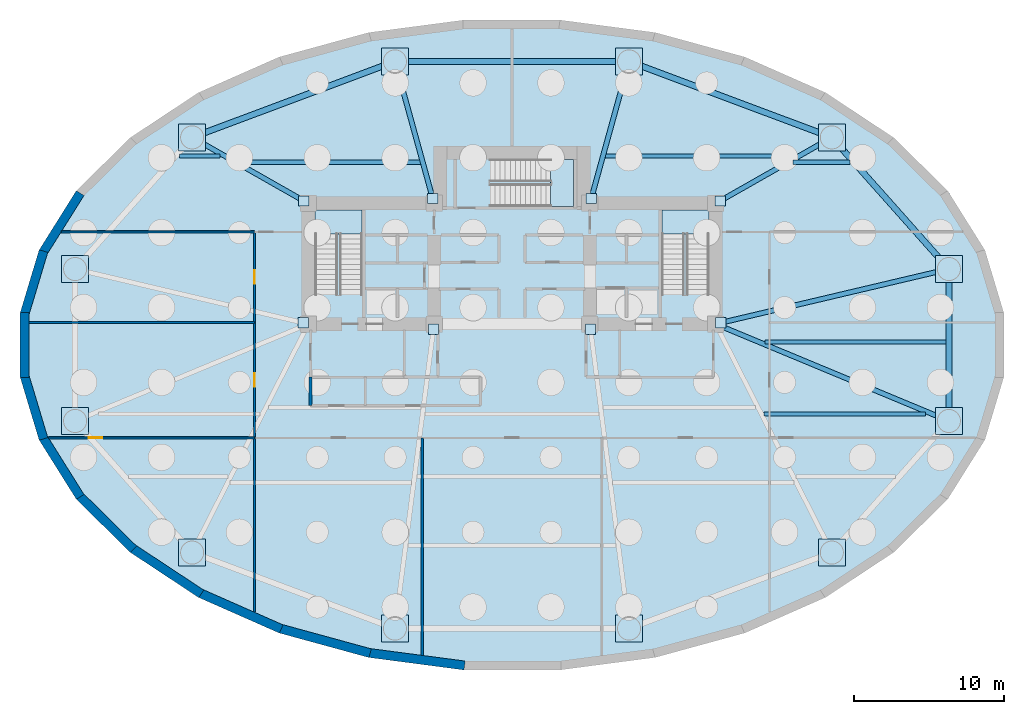
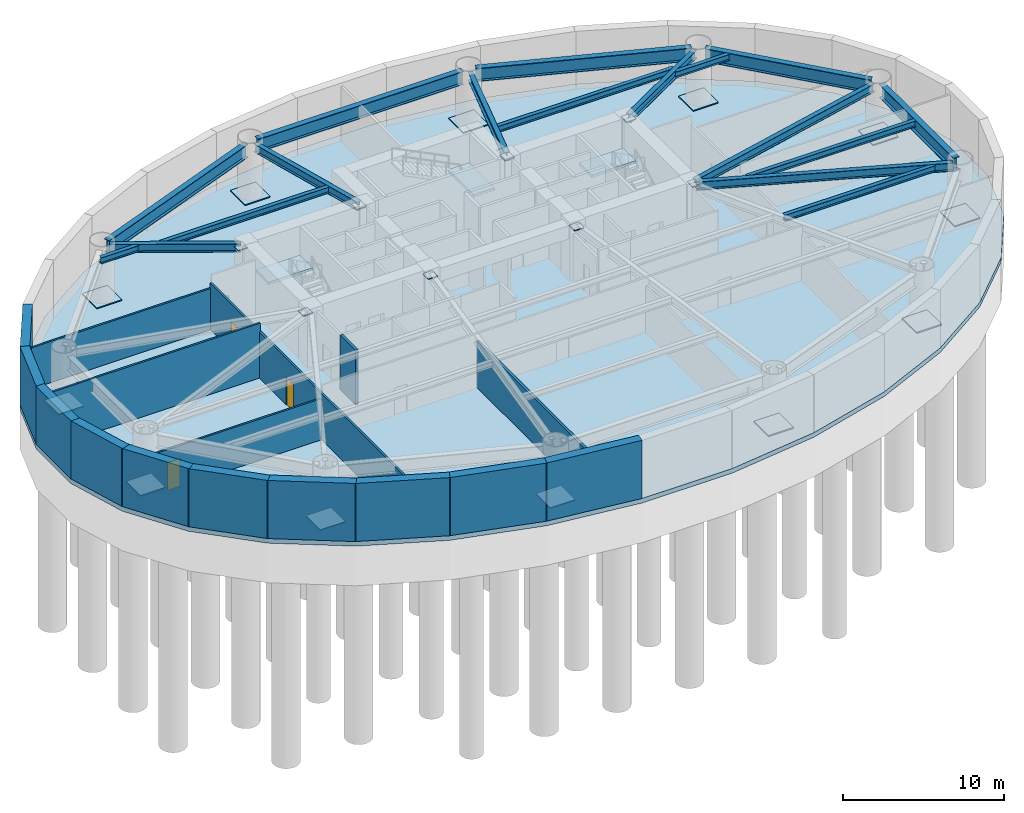
# One storey, part 2 of 7: 20 plates, 17 beams, 16 walls, 4 slabs, 3 doors, 3 openings, 3 elements without a shape of their own.
"""IFC4 building model written with IfcOpenShell, lengths in metres."""

from ifc_helpers import new_model, si_unit, direction, frame, frame_2d, origin, origin_2d, place, context, subcontext, project, spatial, polyline, rectangle, i_section, outline, extrude, material, layer, layer_set, material_profile, profile_set, type_object, element, fill, aggregate, save


model = new_model("IFC4")

# Units and contexts
model_context = context("Model", 3, precision=1e-05, world=origin(), true_north=direction((0.0, 1.0)))
body_context = subcontext(model_context, "Body", "Model", "MODEL_VIEW")
ifc_project = project(units=[si_unit("LENGTHUNIT", "METRE"), si_unit("AREAUNIT", "SQUARE_METRE"), si_unit("VOLUMEUNIT", "CUBIC_METRE"), si_unit("PLANEANGLEUNIT", "RADIAN"), si_unit("MASSUNIT", "GRAM", prefix="KILO")], contexts=[model_context])

# Site, building, storey
site_placement = place(None, origin())
site = spatial("IfcSite", under=ifc_project, at=site_placement, CompositionType="ELEMENT")
building_placement = place(site_placement, origin())
building = spatial("IfcBuilding", under=site, at=building_placement, Name="Keldmark Tower", CompositionType="ELEMENT")
storey_placement = place(building_placement, frame((0.0, 0.0, -8.800048828125)))
storey = spatial("IfcBuildingStorey", under=building, at=storey_placement, Name="B02", CompositionType="ELEMENT", Elevation=-8.800048828125)

# Beams
ifc_material_1 = material(Name="Steel ASTM A992 Grade 50", Category="steel")
ifc_material_profile_1 = material_profile(ifc_material_1, i_section(OverallWidth=0.280029296875, OverallDepth=0.462890625, WebThickness=0.0107421875, FlangeThickness=0.017333984375, at=origin_2d()), Name="W18X76")
ifc_profile_set_1 = profile_set([ifc_material_profile_1], Name="Steel ASTM A992 Grade 50")
beam_type_1 = type_object("IfcBeamType", Name="Composite Floor Joist W18X76", PredefinedType="JOIST", material=ifc_profile_set_1)
beam_1_placement = place(storey_placement, frame((16.822998046875, -4.60009765625, 3.908447265625), z_axis=(1.0, 0.0, 0.0), x_axis=(0.0, 1.0, 0.0)))
element("IfcBeam", 1, at=beam_1_placement, inside=storey, type_object=beam_type_1, Name="B02 Composite Floor Joist J11", PredefinedType="JOIST", context=body_context, shape_type="SweptSolid", body=[
    extrude(i_section(OverallWidth=0.280029296875, OverallDepth=0.462890625, WebThickness=0.0107421875, FlangeThickness=0.017333984375, at=origin_2d()), origin(), (0.0, 0.0, 1.0), 10.7998046875),
])
beam_2_placement = place(storey_placement, frame((16.897216796875, 0.199951171875, 3.908447265625), z_axis=(1.0, 0.0, 0.0), x_axis=(0.0, 1.0, 0.0)))
element("IfcBeam", 2, at=beam_2_placement, inside=storey, type_object=beam_type_1, Name="B02 Composite Floor Joist J12", PredefinedType="JOIST", context=body_context, shape_type="SweptSolid", body=[
    extrude(i_section(OverallWidth=0.280029296875, OverallDepth=0.462890625, WebThickness=0.0107421875, FlangeThickness=0.017333984375, at=origin_2d()), origin(), (0.0, 0.0, 1.0), 12.081787109375),
])
beam_3_placement = place(storey_placement, frame((-22.198486328125, 12.6201171875, 3.908447265625), z_axis=(1.0, 0.0, 0.0), x_axis=(0.0, 1.0, 0.0)))
element("IfcBeam", 3, at=beam_3_placement, inside=storey, type_object=beam_type_1, Name="B02 Composite Floor Joist J13", PredefinedType="JOIST", context=body_context, shape_type="SweptSolid", body=[
    extrude(i_section(OverallWidth=0.280029296875, OverallDepth=0.462890625, WebThickness=0.0107421875, FlangeThickness=0.017333984375, at=origin_2d()), origin(), (0.0, 0.0, 1.0), 2.705810546875),
])
beam_4_placement = place(storey_placement, frame((-18.11865234375, 12.199951171875, 3.908447265625), z_axis=(1.0, 0.0, 0.0), x_axis=(0.0, 1.0, 0.0)))
element("IfcBeam", 4, at=beam_4_placement, inside=storey, type_object=beam_type_1, Name="B02 Composite Floor Joist J14", PredefinedType="JOIST", context=body_context, shape_type="SweptSolid", body=[
    extrude(i_section(OverallWidth=0.280029296875, OverallDepth=0.462890625, WebThickness=0.0107421875, FlangeThickness=0.017333984375, at=origin_2d()), origin(), (0.0, 0.0, 1.0), 11.99951171875),
])
beam_5_placement = place(storey_placement, frame((6.235107421875, 12.6201171875, 3.908447265625), z_axis=(1.0, 0.0, 0.0), x_axis=(0.0, 1.0, 0.0)))
element("IfcBeam", 5, at=beam_5_placement, inside=storey, type_object=beam_type_1, Name="B02 Composite Floor Joist J15", PredefinedType="JOIST", context=body_context, shape_type="SweptSolid", body=[
    extrude(i_section(OverallWidth=0.280029296875, OverallDepth=0.462890625, WebThickness=0.0107421875, FlangeThickness=0.017333984375, at=origin_2d()), origin(), (0.0, 0.0, 1.0), 12.622314453125),
])
beam_6_placement = place(storey_placement, frame((18.754150390625, 12.199951171875, 3.908447265625), z_axis=(1.0, 0.0, 0.0), x_axis=(0.0, 1.0, 0.0)))
element("IfcBeam", 6, at=beam_6_placement, inside=storey, type_object=beam_type_1, Name="B02 Composite Floor Joist J16", PredefinedType="JOIST", context=body_context, shape_type="SweptSolid", body=[
    extrude(i_section(OverallWidth=0.280029296875, OverallDepth=0.462890625, WebThickness=0.0107421875, FlangeThickness=0.017333984375, at=origin_2d()), origin(), (0.0, 0.0, 1.0), 3.81787109375),
])
ifc_material_2 = material(Name="Steel ASTM A992 Grade 50", Category="steel")
ifc_material_profile_2 = material_profile(ifc_material_2, i_section(OverallWidth=0.402099609375, OverallDepth=1.011962890625, WebThickness=0.023681640625, FlangeThickness=0.0419921875, at=origin_2d()), Name="W40X297")
ifc_profile_set_2 = profile_set([ifc_material_profile_2], Name="Steel ASTM A992 Grade 50")
beam_type_2 = type_object("IfcBeamType", Name="Podium Primary Girder W40X297", PredefinedType="BEAM", material=ifc_profile_set_2)
beam_7_placement = place(storey_placement, frame((28.871826171875, 5.4091796875, 3.634033203125), z_axis=(-0.66464984112, 0.747154996436, 0.0), x_axis=(-0.747154996436, -0.66464984112, 0.0)))
element("IfcBeam", 7, at=beam_7_placement, inside=storey, type_object=beam_type_2, Name="B02 Podium Ring Girder PG-R01", PredefinedType="BEAM", context=body_context, shape_type="SweptSolid", body=[
    extrude(i_section(OverallWidth=0.402099609375, OverallDepth=1.011962890625, WebThickness=0.023681640625, FlangeThickness=0.0419921875, at=origin_2d()), origin(), (0.0, 0.0, 1.0), 10.85986328125),
])
beam_8_placement = place(storey_placement, frame((20.93310546875, 14.01708984375, 3.634033203125), z_axis=(-0.936417954382, 0.350886612329, 0.0), x_axis=(-0.350886612329, -0.936417954382, 0.0)))
element("IfcBeam", 8, at=beam_8_placement, inside=storey, type_object=beam_type_2, Name="B02 Podium Ring Girder PG-R02", PredefinedType="BEAM", context=body_context, shape_type="SweptSolid", body=[
    extrude(i_section(OverallWidth=0.402099609375, OverallDepth=1.011962890625, WebThickness=0.023681640625, FlangeThickness=0.0419921875, at=origin_2d()), origin(), (0.0, 0.0, 1.0), 13.557373046875),
])
beam_9_placement = place(storey_placement, frame((7.3662109375, 18.93212890625, 3.634033203125), z_axis=(-1.0, 0.0, 0.0), x_axis=(0.0, -1.0, 0.0)))
element("IfcBeam", 9, at=beam_9_placement, inside=storey, type_object=beam_type_2, Name="B02 Podium Ring Girder PG-R03", PredefinedType="BEAM", context=body_context, shape_type="SweptSolid", body=[
    extrude(i_section(OverallWidth=0.402099609375, OverallDepth=1.011962890625, WebThickness=0.023681640625, FlangeThickness=0.0419921875, at=origin_2d()), origin(), (0.0, 0.0, 1.0), 14.732421875),
])
beam_10_placement = place(storey_placement, frame((-8.23779296875, 18.774169921875, 3.634033203125), z_axis=(-0.936417954382, -0.350886612329, 0.0), x_axis=(0.350886612329, -0.936417954382, 0.0)))
element("IfcBeam", 10, at=beam_10_placement, inside=storey, type_object=beam_type_2, Name="B02 Podium Ring Girder PG-R04", PredefinedType="BEAM", context=body_context, shape_type="SweptSolid", body=[
    extrude(i_section(OverallWidth=0.402099609375, OverallDepth=1.011962890625, WebThickness=0.023681640625, FlangeThickness=0.0419921875, at=origin_2d()), origin(), (0.0, 0.0, 1.0), 13.557373046875),
])
beam_11_placement = place(storey_placement, frame((29.1708984375, -4.622802734375, 3.634033203125), z_axis=(0.0, 1.0, 0.0), x_axis=(-1.0, 0.0, 0.0)))
element("IfcBeam", 11, at=beam_11_placement, inside=storey, type_object=beam_type_2, Name="B02 Podium Ring Girder PG-R12", PredefinedType="BEAM", context=body_context, shape_type="SweptSolid", body=[
    extrude(i_section(OverallWidth=0.402099609375, OverallDepth=1.011962890625, WebThickness=0.023681640625, FlangeThickness=0.0419921875, at=origin_2d()), origin(), (0.0, 0.0, 1.0), 9.24560546875),
])
ifc_material_3 = material(Name="Steel ASTM A992 Grade 50", Category="steel")
ifc_material_profile_3 = material_profile(ifc_material_3, i_section(OverallWidth=0.326904296875, OverallDepth=0.6220703125, WebThickness=0.015380859375, FlangeThickness=0.0244140625, at=origin_2d()), Name="W24X131")
ifc_profile_set_3 = profile_set([ifc_material_profile_3], Name="Steel ASTM A992 Grade 50")
beam_type_3 = type_object("IfcBeamType", Name="Spandrel Ring Beam W24X131", PredefinedType="SPANDREL", material=ifc_profile_set_3)
beam_12_placement = place(storey_placement, frame((28.73291015625, 4.969482421875, 3.8291015625), z_axis=(-0.973292516513, -0.229568458854, 0.0), x_axis=(0.229568458854, -0.973292516513, 0.0)))
element("IfcBeam", 12, at=beam_12_placement, inside=storey, type_object=beam_type_3, Name="B02 Podium Radial Girder PG-C01", PredefinedType="SPANDREL", context=body_context, shape_type="SweptSolid", body=[
    extrude(i_section(OverallWidth=0.326904296875, OverallDepth=0.6220703125, WebThickness=0.015380859375, FlangeThickness=0.0244140625, at=origin_2d()), origin(), (0.0, 0.0, 1.0), 15.1982421875),
])
beam_13_placement = place(storey_placement, frame((20.96337890625, 13.636962890625, 3.8291015625), z_axis=(-0.869293918493, -0.494295542434, 0.0), x_axis=(0.494295542434, -0.869293918493, 0.0)))
element("IfcBeam", 13, at=beam_13_placement, inside=storey, type_object=beam_type_3, Name="B02 Podium Radial Girder PG-C02", PredefinedType="SPANDREL", context=body_context, shape_type="SweptSolid", body=[
    extrude(i_section(OverallWidth=0.326904296875, OverallDepth=0.6220703125, WebThickness=0.015380859375, FlangeThickness=0.0244140625, at=origin_2d()), origin(), (0.0, 0.0, 1.0), 8.120361328125),
])
for number, where, z_axis, x_axis, name in (
    (14, (7.696533203125, 18.498291015625, 3.8291015625), (-0.265960165124, -0.963984019871, 0.0), (0.963984019871, -0.265960165124, 0.0), "B02 Podium Radial Girder PG-C03"),
    (15, (-7.696533203125, 18.498291015625, 3.8291015625), (0.265960165124, -0.963984019871, 0.0), (0.963984019871, 0.265960165124, 0.0), "B02 Podium Radial Girder PG-C04"),
):
    element("IfcBeam", number, at=place(storey_placement, frame(where, z_axis=z_axis, x_axis=x_axis)), inside=storey, type_object=beam_type_3, Name=name, PredefinedType="SPANDREL", context=body_context, shape_type="SweptSolid", body=[
        extrude(i_section(OverallWidth=0.326904296875, OverallDepth=0.6220703125, WebThickness=0.015380859375, FlangeThickness=0.0244140625, at=origin_2d()), origin(), (0.0, 0.0, 1.0), 9.036376953125),
    ])
beam_14_placement = place(storey_placement, frame((-20.96337890625, 13.636962890625, 3.8291015625), z_axis=(0.869293918493, -0.494295542434, 0.0), x_axis=(0.494295542434, 0.869293918493, 0.0)))
element("IfcBeam", 16, at=beam_14_placement, inside=storey, type_object=beam_type_3, Name="B02 Podium Radial Girder PG-C05", PredefinedType="SPANDREL", context=body_context, shape_type="SweptSolid", body=[
    extrude(i_section(OverallWidth=0.326904296875, OverallDepth=0.6220703125, WebThickness=0.015380859375, FlangeThickness=0.0244140625, at=origin_2d()), origin(), (0.0, 0.0, 1.0), 8.120361328125),
])
beam_15_placement = place(storey_placement, frame((28.755615234375, -4.900146484375, 3.8291015625), z_axis=(-0.923395872542, 0.383849010123, 0.0), x_axis=(-0.383849010123, -0.923395872542, 0.0)))
element("IfcBeam", 17, at=beam_15_placement, inside=storey, type_object=beam_type_3, Name="B02 Podium Radial Girder PG-C12", PredefinedType="SPANDREL", context=body_context, shape_type="SweptSolid", body=[
    extrude(i_section(OverallWidth=0.326904296875, OverallDepth=0.6220703125, WebThickness=0.015380859375, FlangeThickness=0.0244140625, at=origin_2d()), origin(), (0.0, 0.0, 1.0), 16.06298828125),
])

# Slab
ifc_material_4 = material(Name="Concrete C50/60", Category="concrete")
ifc_layer_1 = layer(ifc_material_4, 0.35009765625)
ifc_layer_set_1 = layer_set([ifc_layer_1], Name="Concrete C50/60")
slab_type_1 = type_object("IfcSlabType", Name="Base Slab 350 mm", PredefinedType="BASESLAB", material=ifc_layer_set_1)
slab_1_placement = place(storey_placement, frame((0.0, 0.0, -0.349853515625)))
element("IfcSlab", 18, at=slab_1_placement, inside=storey, type_object=slab_type_1, Name="B02 Composite Structural Floor Slab", PredefinedType="BASESLAB", context=body_context, shape_type="SweptSolid", body=[
    extrude(outline(polyline([(32.841064453125, 2.13671875), (31.5791015625, 6.328125), (29.103515625, 10.2763671875), (25.50927734375, 13.829833984375), (20.93505859375, 16.8515625), (15.55615234375, 19.225830078125), (9.579345703125, 20.861328125), (3.234619140625, 21.695068359375), (-3.234619140625, 21.695068359375), (-9.579345703125, 20.861328125), (-15.55615234375, 19.225830078125), (-20.93505859375, 16.8515625), (-25.50927734375, 13.829833984375), (-29.103515625, 10.2763671875), (-31.5791015625, 6.328125), (-32.841064453125, 2.13671875), (-32.841064453125, -2.13671875), (-31.5791015625, -6.328125), (-29.103515625, -10.2763671875), (-25.50927734375, -13.829833984375), (-20.93505859375, -16.8515625), (-15.55615234375, -19.225830078125), (-9.579345703125, -20.861328125), (-3.234619140625, -21.695068359375), (3.234619140625, -21.695068359375), (9.579345703125, -20.861328125), (15.55615234375, -19.225830078125), (20.93505859375, -16.8515625), (25.50927734375, -13.829833984375), (29.103515625, -10.2763671875), (31.5791015625, -6.328125), (32.841064453125, -2.13671875), (32.841064453125, 2.13671875)])), origin(), (0.0, 0.0, 1.0), 0.349853515625),
])

# Plates
ifc_material_5 = material(Name="Steel ASTM A572 Grade 50", Category="steel")
ifc_layer_2 = layer(ifc_material_5, 0.06005859375)
ifc_layer_set_2 = layer_set([ifc_layer_2], Name="Steel ASTM A572 Grade 50")
plate_type_1 = type_object("IfcPlateType", Name="Belt Truss Kink Node Assembly KN01 60 mm", PredefinedType="USERDEFINED", material=ifc_layer_set_2)
for number, where, z_axis, x_axis, name in (
    (19, (13.940673828125, 1.48046875, 3.8017578125), (0.0, 0.0, 1.0), (1.0, 0.0, 0.0), "B02 Core Wall Cast-In Embed Plate 001"),
    (20, (13.904296875, 9.623046875, 3.8017578125), (0.0, 0.0, 1.0), (1.0, 0.0, 0.0), "B02 Core Wall Cast-In Embed Plate 002"),
    (21, (5.293212890625, 9.787353515625, 3.8017578125), (0.0, 0.0, 1.0), (1.0, 0.0, 0.0), "B02 Core Wall Cast-In Embed Plate 003"),
    (22, (-5.293212890625, 9.787353515625, 3.8017578125), (0.0, 0.0, 1.0), (1.0, 0.0, 0.0), "B02 Core Wall Cast-In Embed Plate 004"),
    (23, (-13.904296875, 9.623046875, 3.8017578125), (0.0, 0.0, 1.0), (1.0, 0.0, 0.0), "B02 Core Wall Cast-In Embed Plate 005"),
    (24, (-13.940673828125, 1.48046875, 3.8017578125), (0.0, 0.0, 1.0), (1.0, 0.0, 0.0), "B02 Core Wall Cast-In Embed Plate 006"),
    (25, (-5.24462890625, 1.052978515625, 3.8017578125), (0.0, 0.0, 1.0), (1.0, 0.0, 0.0), "B02 Core Wall Cast-In Embed Plate 007"),
    (26, (5.24462890625, 1.052978515625, 3.8017578125), (0.0, 0.0, 1.0), (1.0, 0.0, 0.0), "B02 Core Wall Cast-In Embed Plate 008"),
):
    element("IfcPlate", number, at=place(storey_placement, frame(where, z_axis=z_axis, x_axis=x_axis)), inside=storey, type_object=plate_type_1, Name=name, ObjectType="CAP PLATE", PredefinedType="USERDEFINED", context=body_context, shape_type="SweptSolid", body=[
        extrude(rectangle(XDim=0.679931640625, YDim=0.679931640625, at=origin_2d()), origin(), (0.0, 0.0, 1.0), 0.054931640625),
    ])
ifc_material_6 = material(Name="Steel ASTM A572 Grade 50", Category="steel")
ifc_layer_3 = layer(ifc_material_6, 0.080078125)
ifc_layer_set_3 = layer_set([ifc_layer_3], Name="Steel ASTM A572 Grade 50")
plate_type_2 = type_object("IfcPlateType", Name="Pilotis Base Cap Plate BP01 80 mm", PredefinedType="USERDEFINED", material=ifc_layer_set_3)
for number, where, z_axis, x_axis, name in (
    (27, (29.1708984375, 5.072998046875, 0.0), (0.0, 0.0, 1.0), (1.0, 0.0, 0.0), "B02 Pilotis Base Cap Plate MC-01"),
    (28, (21.3544921875, 13.859375, 0.0), (0.0, 0.0, 1.0), (1.0, 0.0, 0.0), "B02 Pilotis Base Cap Plate MC-02"),
    (29, (7.81640625, 18.93212890625, 0.0), (0.0, 0.0, 1.0), (1.0, 0.0, 0.0), "B02 Pilotis Base Cap Plate MC-03"),
    (30, (-7.81640625, 18.93212890625, 0.0), (0.0, 0.0, 1.0), (1.0, 0.0, 0.0), "B02 Pilotis Base Cap Plate MC-04"),
    (31, (-21.3544921875, 13.859375, 0.0), (0.0, 0.0, 1.0), (1.0, 0.0, 0.0), "B02 Pilotis Base Cap Plate MC-05"),
    (32, (-29.1708984375, 5.072998046875, 0.0), (0.0, 0.0, 1.0), (1.0, 0.0, 0.0), "B02 Pilotis Base Cap Plate MC-06"),
    (33, (-29.1708984375, -5.072998046875, 0.0), (0.0, 0.0, 1.0), (1.0, 0.0, 0.0), "B02 Pilotis Base Cap Plate MC-07"),
    (34, (-21.3544921875, -13.859375, 0.0), (0.0, 0.0, 1.0), (1.0, 0.0, 0.0), "B02 Pilotis Base Cap Plate MC-08"),
    (35, (-7.81640625, -18.93212890625, 0.0), (0.0, 0.0, 1.0), (1.0, 0.0, 0.0), "B02 Pilotis Base Cap Plate MC-09"),
    (36, (7.81640625, -18.93212890625, 0.0), (0.0, 0.0, 1.0), (1.0, 0.0, 0.0), "B02 Pilotis Base Cap Plate MC-10"),
    (37, (21.3544921875, -13.859375, 0.0), (0.0, 0.0, 1.0), (1.0, 0.0, 0.0), "B02 Pilotis Base Cap Plate MC-11"),
    (38, (29.1708984375, -5.072998046875, 0.0), (0.0, 0.0, 1.0), (1.0, 0.0, 0.0), "B02 Pilotis Base Cap Plate MC-12"),
):
    element("IfcPlate", number, at=place(storey_placement, frame(where, z_axis=z_axis, x_axis=x_axis)), inside=storey, type_object=plate_type_2, Name=name, ObjectType="CAP PLATE", PredefinedType="USERDEFINED", context=body_context, shape_type="SweptSolid", body=[
        extrude(rectangle(XDim=1.800048828125, YDim=1.800048828125, at=origin_2d()), origin(), (0.0, 0.0, 1.0), 0.080078125),
    ])

# Stair, slab
ifc_material_7 = material(Name="Concrete C40/50", Category="concrete")
stair_type = type_object("IfcStairType", Name="Precast Concrete Core Exit Stair", PredefinedType="HALF_TURN_STAIR", material=ifc_material_7)
stair_1_placement = place(storey_placement, origin())
stair_1 = element("IfcStair", 39, at=stair_1_placement, inside=storey, type_object=stair_type, Name="B02 Exit Stair ST1", PredefinedType="HALF_TURN_STAIR")
ifc_material_8 = material(Name="Concrete C40/50", Category="concrete")
ifc_layer_4 = layer(ifc_material_8, 0.199951171875)
ifc_layer_set_4 = layer_set([ifc_layer_4], Name="Concrete C40/50")
slab_type_2 = type_object("IfcSlabType", Name="Reinforced Concrete Stair Landing 200 mm", PredefinedType="LANDING", material=ifc_layer_set_4)
slab_2_placement = place(storey_placement, frame((0.0, 0.0, 2.0)))
slab_2 = element("IfcSlab", 40, at=slab_2_placement, type_object=slab_type_2, Name="ST1 landing 1", PredefinedType="LANDING", context=body_context, shape_type="SweptSolid", body=[
    extrude(outline(polyline([(-10.0, 7.409912109375), (-10.0, 9.0), (-13.14990234375, 9.0), (-13.14990234375, 7.409912109375), (-10.0, 7.409912109375)])), origin(), (0.0, 0.0, 1.0), 0.199951171875),
])
aggregate(stair_1, [slab_2])

stair_2_placement = place(storey_placement, origin())
stair_2 = element("IfcStair", 41, at=stair_2_placement, inside=storey, type_object=stair_type, Name="B02 Exit Stair ST2", PredefinedType="HALF_TURN_STAIR")
slab_3_placement = place(storey_placement, frame((0.0, 0.0, 2.0)))
slab_3 = element("IfcSlab", 42, at=slab_3_placement, type_object=slab_type_2, Name="ST2 landing 1", PredefinedType="LANDING", context=body_context, shape_type="SweptSolid", body=[
    extrude(outline(polyline([(13.14990234375, 7.409912109375), (13.14990234375, 9.0), (10.0, 9.0), (10.0, 7.409912109375), (13.14990234375, 7.409912109375)])), origin(), (0.0, 0.0, 1.0), 0.199951171875),
])
aggregate(stair_2, [slab_3])

stair_3_placement = place(storey_placement, origin())
stair_3 = element("IfcStair", 43, at=stair_3_placement, inside=storey, type_object=stair_type, Name="B02 Exit Stair ST3", PredefinedType="HALF_TURN_STAIR")
slab_4_placement = place(storey_placement, frame((0.0, 0.0, 2.0)))
slab_4 = element("IfcSlab", 44, at=slab_4_placement, type_object=slab_type_2, Name="ST3 landing 1", PredefinedType="LANDING", context=body_context, shape_type="SweptSolid", body=[
    extrude(outline(polyline([(2.5849609375, 9.25), (4.10498046875, 9.25), (4.10498046875, 12.39990234375), (2.5849609375, 12.39990234375), (2.5849609375, 9.25)])), origin(), (0.0, 0.0, 1.0), 0.199951171875),
])
aggregate(stair_3, [slab_4])

# Wall, openings, doors
ifc_material_9 = material(Name="Acoustic Double-Layer Gypsum Corridor Partition", Category="gypsum")
ifc_layer_5 = layer(ifc_material_9, 0.139892578125)
ifc_layer_set_5 = layer_set([ifc_layer_5], Name="Acoustic Double-Layer Gypsum Corridor Partition")
wall_type_1 = type_object("IfcWallType", Name="Acoustic Corridor Partition 140 mm", PredefinedType="PARTITIONING", material=ifc_layer_set_5)
wall_1_placement = place(storey_placement, frame((-17.199951171875, -17.835693359375, 0.0), z_axis=(0.0, 0.0, 1.0), x_axis=(0.0, 1.0, 0.0)))
wall_1 = element("IfcWall", 45, at=wall_1_placement, inside=storey, type_object=wall_type_1, Name="B02 Acoustic Corridor Partition 140 mm COR-W", PredefinedType="PARTITIONING", context=body_context, shape_type="SweptSolid", body=[
    extrude(rectangle(XDim=25.3857421875, YDim=0.139892578125, at=frame_2d((12.69287109375, 0.0))), origin(), (0.0, 0.0, 1.0), 3.508056640625),
])
opening_1_placement = place(wall_1_placement, frame((15.03564453125, 0.0, 0.0)))
opening_1 = element("IfcOpeningElement", 46, at=opening_1_placement, cuts=wall_1, Name="Opening D-IN090", PredefinedType="OPENING", context=body_context, shape_type="SweptSolid", body=[
    extrude(rectangle(XDim=0.89990234375, YDim=2.10009765625, at=frame_2d((0.449951171875, 1.050048828125))), frame((0.0, 0.079833984375, 0.0), z_axis=(0.0, -1.0, 0.0), x_axis=(1.0, 0.0, 0.0)), (0.0, 0.0, 1.0), 0.159912109375),
])
opening_2_placement = place(wall_1_placement, frame((21.91064453125, 0.0, 0.0)))
opening_2 = element("IfcOpeningElement", 47, at=opening_2_placement, cuts=wall_1, Name="Opening D-IN090", PredefinedType="OPENING", context=body_context, shape_type="SweptSolid", body=[
    extrude(rectangle(XDim=0.89990234375, YDim=2.10009765625, at=frame_2d((0.449951171875, 1.050048828125))), frame((0.0, 0.079833984375, 0.0), z_axis=(0.0, -1.0, 0.0), x_axis=(1.0, 0.0, 0.0)), (0.0, 0.0, 1.0), 0.159912109375),
])
ifc_material_10 = material(Name="Stained American White Oak Veneer", Category="wood")
door_type = type_object("IfcDoorType", Name="Interior Door 900x2100", OperationType="NOTDEFINED", PredefinedType="DOOR", material=ifc_material_10)
door_1_placement = place(opening_1_placement, origin())
door_1 = element("IfcDoor", 48, at=door_1_placement, inside=storey, type_object=door_type, Name="B02 Interior Door 900x2100 D-WR-1-B02", OperationType="SINGLE_SWING_LEFT", OverallHeight=2.10009765625, OverallWidth=0.89990234375, PredefinedType="DOOR", context=body_context, shape_type="SweptSolid", body=[
    extrude(rectangle(XDim=0.89990234375, YDim=2.10009765625, at=frame_2d((0.449951171875, 1.050048828125))), frame((0.0, 0.02490234375, 0.0), z_axis=(0.0, -1.0, 0.0), x_axis=(1.0, 0.0, 0.0)), (0.0, 0.0, 1.0), 0.050048828125),
])
fill(opening_1, door_1)
door_2_placement = place(opening_2_placement, origin())
door_2 = element("IfcDoor", 49, at=door_2_placement, inside=storey, type_object=door_type, Name="B02 Interior Door 900x2100 D-WR-2-B02", OperationType="SINGLE_SWING_RIGHT", OverallHeight=2.10009765625, OverallWidth=0.89990234375, PredefinedType="DOOR", context=body_context, shape_type="SweptSolid", body=[
    extrude(rectangle(XDim=0.89990234375, YDim=2.10009765625, at=frame_2d((0.449951171875, 1.050048828125))), frame((0.0, 0.02490234375, 0.0), z_axis=(0.0, -1.0, 0.0), x_axis=(1.0, 0.0, 0.0)), (0.0, 0.0, 1.0), 0.050048828125),
])
fill(opening_2, door_2)

# Walls
ifc_material_11 = material(Name="Concrete C50/60", Category="concrete")
ifc_layer_6 = layer(ifc_material_11, 0.60009765625)
ifc_layer_set_6 = layer_set([ifc_layer_6], Name="Concrete C50/60")
wall_type_2 = type_object("IfcWallType", Name="Basement Retaining Wall 600 mm", PredefinedType="USERDEFINED", material=ifc_layer_set_6)
wall_2_placement = place(storey_placement, frame((-28.833251953125, 10.142333984375, 0.0), z_axis=(0.0, 0.0, 1.0), x_axis=(-0.531244363113, -0.847218641592, 0.0)))
element("IfcWall", 50, at=wall_2_placement, inside=storey, type_object=wall_type_2, Name="B02 Perimeter Retaining Wall 14", ObjectType="RETAINING WALL", PredefinedType="USERDEFINED", context=body_context, shape_type="SweptSolid", body=[
    extrude(rectangle(XDim=4.72021484375, YDim=0.60009765625, at=frame_2d((2.360107421875, 0.0))), origin(), (0.0, 0.0, 1.0), 4.400146484375),
])
wall_3_placement = place(storey_placement, frame((-31.283203125, 6.2705078125, 0.0), z_axis=(0.0, 0.0, 1.0), x_axis=(-0.288296686647, -0.95754113252, 0.0)))
element("IfcWall", 51, at=wall_3_placement, inside=storey, type_object=wall_type_2, Name="B02 Perimeter Retaining Wall 15", ObjectType="RETAINING WALL", PredefinedType="USERDEFINED", context=body_context, shape_type="SweptSolid", body=[
    extrude(rectangle(XDim=4.4375, YDim=0.60009765625, at=frame_2d((2.21875, 0.0))), origin(), (0.0, 0.0, 1.0), 4.400146484375),
])
wall_4_placement = place(storey_placement, frame((-32.541015625, 2.166748046875, 0.0), z_axis=(0.0, 0.0, 1.0), x_axis=(0.0, -1.0, 0.0)))
element("IfcWall", 52, at=wall_4_placement, inside=storey, type_object=wall_type_2, Name="B02 Perimeter Retaining Wall 16", ObjectType="RETAINING WALL", PredefinedType="USERDEFINED", context=body_context, shape_type="SweptSolid", body=[
    extrude(rectangle(XDim=4.33349609375, YDim=0.60009765625, at=frame_2d((2.166748046875, 0.0))), origin(), (0.0, 0.0, 1.0), 4.400146484375),
])
wall_5_placement = place(storey_placement, frame((-32.5625, -2.021484375, 0.0), z_axis=(0.0, 0.0, 1.0), x_axis=(0.288296686647, -0.95754113252, 0.0)))
element("IfcWall", 53, at=wall_5_placement, inside=storey, type_object=wall_type_2, Name="B02 Perimeter Retaining Wall 17", ObjectType="RETAINING WALL", PredefinedType="USERDEFINED", context=body_context, shape_type="SweptSolid", body=[
    extrude(rectangle(XDim=4.4375, YDim=0.60009765625, at=frame_2d((2.21875, 0.0))), origin(), (0.0, 0.0, 1.0), 4.400146484375),
])
wall_6_placement = place(storey_placement, frame((-31.3408203125, -6.143310546875, 0.0), z_axis=(0.0, 0.0, 1.0), x_axis=(0.531244363113, -0.847218641592, 0.0)))
element("IfcWall", 54, at=wall_6_placement, inside=storey, type_object=wall_type_2, Name="B02 Perimeter Retaining Wall 18", ObjectType="RETAINING WALL", PredefinedType="USERDEFINED", context=body_context, shape_type="SweptSolid", body=[
    extrude(rectangle(XDim=4.72021484375, YDim=0.60009765625, at=frame_2d((2.360107421875, 0.0))), origin(), (0.0, 0.0, 1.0), 4.400146484375),
])
wall_7_placement = place(storey_placement, frame((-28.913818359375, -10.0419921875, 0.0), z_axis=(0.0, 0.0, 1.0), x_axis=(0.711105403666, -0.70308541791, 0.0)))
element("IfcWall", 55, at=wall_7_placement, inside=storey, type_object=wall_type_2, Name="B02 Perimeter Retaining Wall 19", ObjectType="RETAINING WALL", PredefinedType="USERDEFINED", context=body_context, shape_type="SweptSolid", body=[
    extrude(rectangle(XDim=5.1142578125, YDim=0.60009765625, at=frame_2d((2.55712890625, 0.0))), origin(), (0.0, 0.0, 1.0), 4.400146484375),
])
wall_8_placement = place(storey_placement, frame((-25.368896484375, -13.56298828125, 0.0), z_axis=(0.0, 0.0, 1.0), x_axis=(0.834367518908, -0.551208529861, 0.0)))
element("IfcWall", 56, at=wall_8_placement, inside=storey, type_object=wall_type_2, Name="B02 Perimeter Retaining Wall 20", ObjectType="RETAINING WALL", PredefinedType="USERDEFINED", context=body_context, shape_type="SweptSolid", body=[
    extrude(rectangle(XDim=5.542236328125, YDim=0.60009765625, at=frame_2d((2.77099609375, 0.0))), origin(), (0.0, 0.0, 1.0), 4.400146484375),
])
wall_9_placement = place(storey_placement, frame((-20.84130859375, -16.56494140625, 0.0), z_axis=(0.0, 0.0, 1.0), x_axis=(0.91483072277, -0.403837527574, 0.0)))
element("IfcWall", 57, at=wall_9_placement, inside=storey, type_object=wall_type_2, Name="B02 Perimeter Retaining Wall 21", ObjectType="RETAINING WALL", PredefinedType="USERDEFINED", context=body_context, shape_type="SweptSolid", body=[
    extrude(rectangle(XDim=5.939697265625, YDim=0.60009765625, at=frame_2d((2.9697265625, 0.0))), origin(), (0.0, 0.0, 1.0), 4.400146484375),
])
wall_10_placement = place(storey_placement, frame((-15.505859375, -18.9287109375, 0.0), z_axis=(0.0, 0.0, 1.0), x_axis=(0.964548276597, -0.263906464707, 0.0)))
element("IfcWall", 58, at=wall_10_placement, inside=storey, type_object=wall_type_2, Name="B02 Perimeter Retaining Wall 22", ObjectType="RETAINING WALL", PredefinedType="USERDEFINED", context=body_context, shape_type="SweptSolid", body=[
    extrude(rectangle(XDim=6.256591796875, YDim=0.60009765625, at=frame_2d((3.12841796875, 0.0))), origin(), (0.0, 0.0, 1.0), 4.400146484375),
])
wall_11_placement = place(storey_placement, frame((-9.570068359375, -20.559814453125, 0.0), z_axis=(0.0, 0.0, 1.0), x_axis=(0.991471782517, -0.130321542624, 0.0)))
element("IfcWall", 59, at=wall_11_placement, inside=storey, type_object=wall_type_2, Name="B02 Perimeter Retaining Wall 23", ObjectType="RETAINING WALL", PredefinedType="USERDEFINED", context=body_context, shape_type="SweptSolid", body=[
    extrude(rectangle(XDim=6.45947265625, YDim=0.60009765625, at=frame_2d((3.229736328125, 0.0))), origin(), (0.0, 0.0, 1.0), 4.400146484375),
])
ifc_material_12 = material(Name="STC-58 Insulated Tenant Demising Gypsum Partition", Category="gypsum")
ifc_layer_7 = layer(ifc_material_12, 0.175048828125)
ifc_layer_set_7 = layer_set([ifc_layer_7], Name="STC-58 Insulated Tenant Demising Gypsum Partition")
wall_type_3 = type_object("IfcWallType", Name="Demising Suite Partition 175 mm", PredefinedType="PARTITIONING", material=ifc_layer_set_7)
wall_12_placement = place(storey_placement, frame((-6.0, -20.718505859375, 0.0), z_axis=(0.0, 0.0, 1.0), x_axis=(0.0, 1.0, 0.0)))
element("IfcWall", 60, at=wall_12_placement, inside=storey, type_object=wall_type_3, Name="B02 Demising Suite Partition 175 mm S-DIV-1", PredefinedType="PARTITIONING", context=body_context, shape_type="SweptSolid", body=[
    extrude(rectangle(XDim=14.5185546875, YDim=0.175048828125, at=frame_2d((7.25927734375, 0.0))), origin(), (0.0, 0.0, 1.0), 3.508056640625),
])
ifc_material_13 = material(Name="Heavy Acoustic Plumbing Chase Gypsum Assembly", Category="gypsum")
ifc_layer_8 = layer(ifc_material_13, 0.18994140625)
ifc_layer_set_8 = layer_set([ifc_layer_8], Name="Heavy Acoustic Plumbing Chase Gypsum Assembly")
wall_type_4 = type_object("IfcWallType", Name="Heavy Wet Wall 190 mm", PredefinedType="PLUMBINGWALL", material=ifc_layer_set_8)
wall_13_placement = place(storey_placement, frame((-13.449951171875, -4.050048828125, 0.0), z_axis=(0.0, 0.0, 1.0), x_axis=(0.0, 1.0, 0.0)))
element("IfcWall", 61, at=wall_13_placement, inside=storey, type_object=wall_type_4, Name="B02 Heavy Wet Wall 190 mm SPK-W-W", PredefinedType="PLUMBINGWALL", context=body_context, shape_type="SweptSolid", body=[
    extrude(rectangle(XDim=1.900146484375, YDim=0.18994140625, at=frame_2d((0.9501953125, 0.0))), origin(), (0.0, 0.0, 1.0), 4.14013671875),
])
ifc_material_14 = material(Name="Acoustic Gypsum Board Interior Partition", Category="gypsum")
ifc_layer_9 = layer(ifc_material_14, 0.1298828125)
ifc_layer_set_9 = layer_set([ifc_layer_9], Name="Acoustic Gypsum Board Interior Partition")
wall_type_5 = type_object("IfcWallType", Name="Interior Partition 130 mm", PredefinedType="PARTITIONING", material=ifc_layer_set_9)
wall_14_placement = place(storey_placement, frame((-30.09521484375, 7.550048828125, 0.0), z_axis=(0.0, 0.0, 1.0), x_axis=(1.0, 0.0, 0.0)))
element("IfcWall", 62, at=wall_14_placement, inside=storey, type_object=wall_type_5, Name="B02 Interior Partition 130 mm W-CAP-N", PredefinedType="PARTITIONING", context=body_context, shape_type="SweptSolid", body=[
    extrude(rectangle(XDim=12.895263671875, YDim=0.1298828125, at=frame_2d((6.44775390625, 0.0))), origin(), (0.0, 0.0, 1.0), 3.1181640625),
])

# Wall, opening, door
wall_15_placement = place(storey_placement, frame((-30.94189453125, -6.199951171875, 0.0), z_axis=(0.0, 0.0, 1.0), x_axis=(1.0, 0.0, 0.0)))
wall_15 = element("IfcWall", 63, at=wall_15_placement, inside=storey, type_object=wall_type_5, Name="B02 Interior Partition 130 mm W-CAP-S", PredefinedType="PARTITIONING", context=body_context, shape_type="SweptSolid", body=[
    extrude(rectangle(XDim=13.741943359375, YDim=0.1298828125, at=frame_2d((6.87109375, 0.0))), origin(), (0.0, 0.0, 1.0), 3.1181640625),
])
opening_3_placement = place(wall_15_placement, frame((2.669921875, 0.0, 0.0)))
opening_3 = element("IfcOpeningElement", 64, at=opening_3_placement, cuts=wall_15, Name="Opening D-IN090", PredefinedType="OPENING", context=body_context, shape_type="SweptSolid", body=[
    extrude(rectangle(XDim=0.89990234375, YDim=2.10009765625, at=frame_2d((0.449951171875, 1.050048828125))), frame((0.0, 0.074951171875, 0.0), z_axis=(0.0, -1.0, 0.0), x_axis=(1.0, 0.0, 0.0)), (0.0, 0.0, 1.0), 0.14990234375),
])
door_3_placement = place(opening_3_placement, origin())
door_3 = element("IfcDoor", 65, at=door_3_placement, inside=storey, type_object=door_type, Name="B02 Interior Door 900x2100 D-WRSW-B02", OperationType="SINGLE_SWING_RIGHT", OverallHeight=2.10009765625, OverallWidth=0.89990234375, PredefinedType="DOOR", context=body_context, shape_type="SweptSolid", body=[
    extrude(rectangle(XDim=0.89990234375, YDim=2.10009765625, at=frame_2d((0.449951171875, 1.050048828125))), frame((0.0, 0.02490234375, 0.0), z_axis=(0.0, -1.0, 0.0), x_axis=(1.0, 0.0, 0.0)), (0.0, 0.0, 1.0), 0.050048828125),
])
fill(opening_3, door_3)

# Wall
wall_16_placement = place(storey_placement, frame((-32.233154296875, 1.5, 0.0), z_axis=(0.0, 0.0, 1.0), x_axis=(1.0, 0.0, 0.0)))
element("IfcWall", 66, at=wall_16_placement, inside=storey, type_object=wall_type_5, Name="B02 Interior Partition 130 mm W-DIV-1", PredefinedType="PARTITIONING", context=body_context, shape_type="SweptSolid", body=[
    extrude(rectangle(XDim=15.033203125, YDim=0.1298828125, at=frame_2d((7.5166015625, 0.0))), origin(), (0.0, 0.0, 1.0), 4.14013671875),
])

save(model, "model.ifc")
